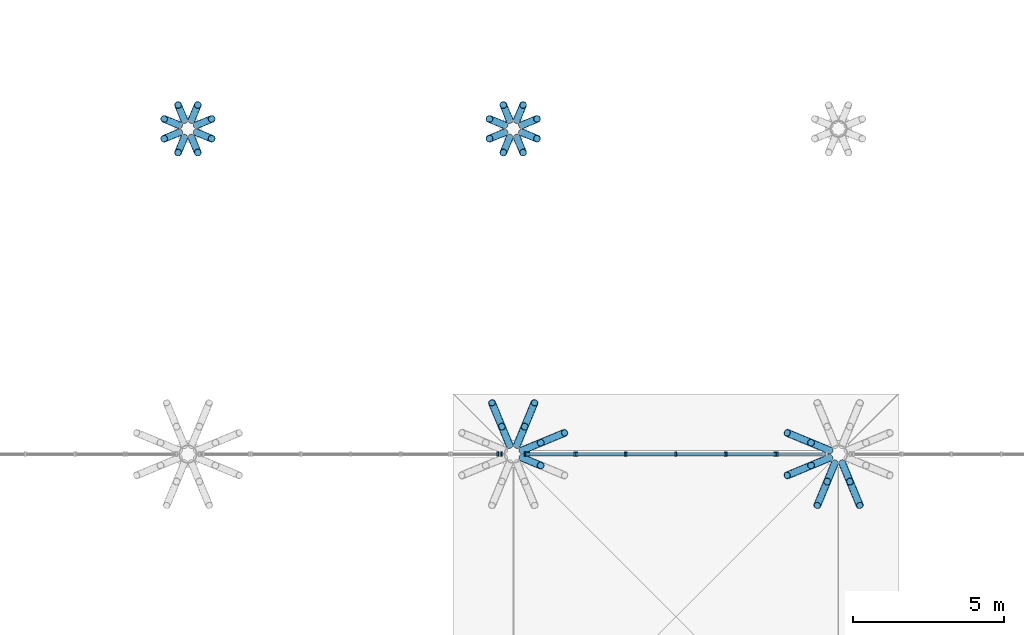
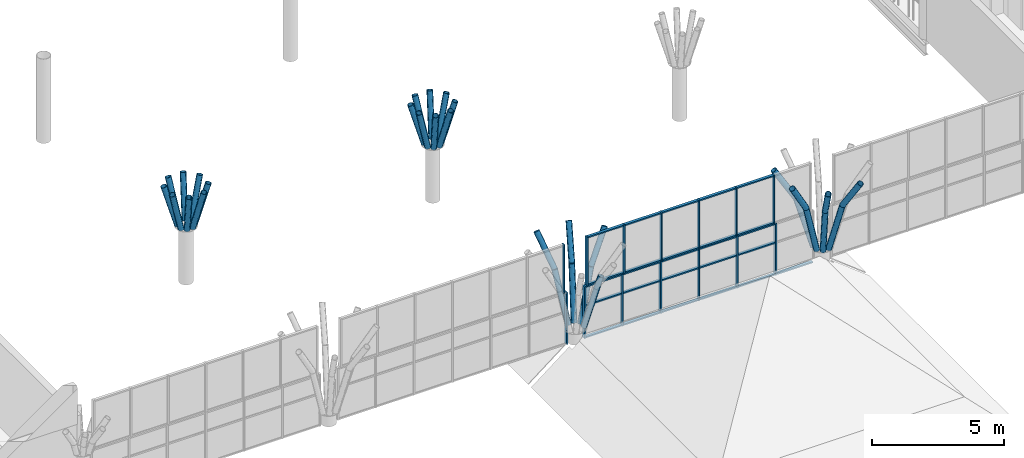
# One storey, part 18 of 95: 71 members, 4 elements without a shape of their own.
"""IFC4 building model written with IfcOpenShell, lengths in metres."""

from ifc_helpers import new_model, si_unit, direction, frame, origin, origin_2d, place, context, subcontext, project, spatial, rectangle, hollow_circle, extrude, material, layer, layer_set, material_profile, profile_set, type_object, element, aggregate, save


model = new_model("IFC4")

# Units and contexts
model_context = context("Model", 3, precision=1e-05, world=origin(), true_north=direction((0.0, 1.0)))
body_context = subcontext(model_context, "Body", "Model", "MODEL_VIEW")
ifc_project = project(units=[si_unit("LENGTHUNIT", "METRE"), si_unit("AREAUNIT", "SQUARE_METRE"), si_unit("VOLUMEUNIT", "CUBIC_METRE"), si_unit("PLANEANGLEUNIT", "RADIAN"), si_unit("MASSUNIT", "GRAM", prefix="KILO")], contexts=[model_context])

# Site, building, storey
site_placement = place(None, origin())
site = spatial("IfcSite", under=ifc_project, at=site_placement, CompositionType="ELEMENT")
building_placement = place(site_placement, origin())
building = spatial("IfcBuilding", under=site, at=building_placement, Name="Magnolia Steps Interchange", CompositionType="ELEMENT")
storey_placement = place(building_placement, frame((0.0, 0.0, 4.800048828125)))
storey = spatial("IfcBuildingStorey", under=building, at=storey_placement, Name="L01", CompositionType="ELEMENT", Elevation=4.800048828125)

# Curtain wall, member
ifc_material_1 = material(Name="Powder-coated aluminium and glass", Category="aluminium")
ifc_layer_1 = layer(ifc_material_1, 0.14990234375)
ifc_layer_set_1 = layer_set([ifc_layer_1], Name="Glazed hall curtain wall")
curtain_wall_type_1 = type_object("IfcCurtainWallType", Name="Glazed hall curtain wall", PredefinedType="NOTDEFINED", material=ifc_layer_set_1)
curtain_wall_1_placement = place(storey_placement, origin())
curtain_wall_1 = element("IfcCurtainWall", 1, at=curtain_wall_1_placement, inside=storey, type_object=curtain_wall_type_1, Name="Hall glazing S3 L01", PredefinedType="NOTDEFINED")
ifc_material_2 = material(Name="White powder-coated aluminium", Category="aluminium")
ifc_material_profile_1 = material_profile(ifc_material_2, rectangle(XDim=0.06005859375, YDim=0.14990234375, at=origin_2d()), Name="Aluminium mullion 60 x 150")
ifc_profile_set_1 = profile_set([ifc_material_profile_1], Name="White powder-coated aluminium")
member_type_1 = type_object("IfcMemberType", Name="Aluminium mullion 60 x 150", PredefinedType="MULLION", material=ifc_profile_set_1)
member_1_placement = place(storey_placement, frame((85.2099609375, 42.39990234375, 0.0), z_axis=(0.0, 0.0, 1.0), x_axis=(1.0, 0.0, 0.0)))
member_1 = element("IfcMember", 2, at=member_1_placement, type_object=member_type_1, Name="CW1 mullion 7", PredefinedType="MULLION", context=body_context, shape_type="SweptSolid", body=[
    extrude(rectangle(XDim=0.06005859375, YDim=0.14990234375, at=origin_2d()), origin(), (0.0, 0.0, 1.0), 2.39990234375),
])
aggregate(curtain_wall_1, [member_1])

ifc_material_3 = material(Name="Powder-coated aluminium and glass", Category="aluminium")
ifc_layer_2 = layer(ifc_material_3, 0.1201171875)
ifc_layer_set_2 = layer_set([ifc_layer_2], Name="Hall clerestory curtain wall")
curtain_wall_type_2 = type_object("IfcCurtainWallType", Name="Hall clerestory curtain wall", PredefinedType="NOTDEFINED", material=ifc_layer_set_2)
curtain_wall_2_placement = place(storey_placement, origin())
curtain_wall_2 = element("IfcCurtainWall", 3, at=curtain_wall_2_placement, inside=storey, type_object=curtain_wall_type_2, Name="Hall clerestory S3", PredefinedType="NOTDEFINED")
member_2_placement = place(storey_placement, frame((85.090087890625, 42.39990234375, 2.39990234375), z_axis=(0.0, 0.0, 1.0), x_axis=(1.0, 0.0, 0.0)))
member_2 = element("IfcMember", 4, at=member_2_placement, type_object=member_type_1, Name="CW6 mullion 7", PredefinedType="MULLION", context=body_context, shape_type="SweptSolid", body=[
    extrude(rectangle(XDim=0.06005859375, YDim=0.14990234375, at=origin_2d()), origin(), (0.0, 0.0, 1.0), 2.248779296875),
])
aggregate(curtain_wall_2, [member_2])

# Curtain wall, members
curtain_wall_3_placement = place(storey_placement, origin())
curtain_wall_3 = element("IfcCurtainWall", 5, at=curtain_wall_3_placement, inside=storey, type_object=curtain_wall_type_1, Name="Hall glazing S4 L01", PredefinedType="NOTDEFINED")
member_3_placement = place(storey_placement, frame((85.989990234375, 42.39990234375, 0.0), z_axis=(0.0, 0.0, 1.0), x_axis=(1.0, 0.0, 0.0)))
member_3 = element("IfcMember", 6, at=member_3_placement, type_object=member_type_1, Name="CW1 mullion 1", PredefinedType="MULLION", context=body_context, shape_type="SweptSolid", body=[
    extrude(rectangle(XDim=0.06005859375, YDim=0.14990234375, at=origin_2d()), origin(), (0.0, 0.0, 1.0), 2.39990234375),
])
member_4_placement = place(storey_placement, frame((87.639892578125, 42.39990234375, 0.0), z_axis=(0.0, 0.0, 1.0), x_axis=(1.0, 0.0, 0.0)))
member_4 = element("IfcMember", 7, at=member_4_placement, type_object=member_type_1, Name="CW1 mullion 2", PredefinedType="MULLION", context=body_context, shape_type="SweptSolid", body=[
    extrude(rectangle(XDim=0.06005859375, YDim=0.14990234375, at=origin_2d()), origin(), (0.0, 0.0, 1.0), 2.39990234375),
])
member_5_placement = place(storey_placement, frame((89.320068359375, 42.39990234375, 0.0), z_axis=(0.0, 0.0, 1.0), x_axis=(1.0, 0.0, 0.0)))
member_5 = element("IfcMember", 8, at=member_5_placement, type_object=member_type_1, Name="CW1 mullion 3", PredefinedType="MULLION", context=body_context, shape_type="SweptSolid", body=[
    extrude(rectangle(XDim=0.06005859375, YDim=0.14990234375, at=origin_2d()), origin(), (0.0, 0.0, 1.0), 2.39990234375),
])
member_6_placement = place(storey_placement, frame((91.0, 42.39990234375, 0.0), z_axis=(0.0, 0.0, 1.0), x_axis=(1.0, 0.0, 0.0)))
member_6 = element("IfcMember", 9, at=member_6_placement, type_object=member_type_1, Name="CW1 mullion 4", PredefinedType="MULLION", context=body_context, shape_type="SweptSolid", body=[
    extrude(rectangle(XDim=0.06005859375, YDim=0.14990234375, at=origin_2d()), origin(), (0.0, 0.0, 1.0), 2.39990234375),
])
member_7_placement = place(storey_placement, frame((92.679931640625, 42.39990234375, 0.0), z_axis=(0.0, 0.0, 1.0), x_axis=(1.0, 0.0, 0.0)))
member_7 = element("IfcMember", 10, at=member_7_placement, type_object=member_type_1, Name="CW1 mullion 5", PredefinedType="MULLION", context=body_context, shape_type="SweptSolid", body=[
    extrude(rectangle(XDim=0.06005859375, YDim=0.14990234375, at=origin_2d()), origin(), (0.0, 0.0, 1.0), 2.39990234375),
])
member_8_placement = place(storey_placement, frame((94.360107421875, 42.39990234375, 0.0), z_axis=(0.0, 0.0, 1.0), x_axis=(1.0, 0.0, 0.0)))
member_8 = element("IfcMember", 11, at=member_8_placement, type_object=member_type_1, Name="CW1 mullion 6", PredefinedType="MULLION", context=body_context, shape_type="SweptSolid", body=[
    extrude(rectangle(XDim=0.06005859375, YDim=0.14990234375, at=origin_2d()), origin(), (0.0, 0.0, 1.0), 2.39990234375),
])

curtain_wall_4_placement = place(storey_placement, origin())
curtain_wall_4 = element("IfcCurtainWall", 12, at=curtain_wall_4_placement, inside=storey, type_object=curtain_wall_type_2, Name="Hall clerestory S4", PredefinedType="NOTDEFINED")
member_9_placement = place(storey_placement, frame((86.110107421875, 42.39990234375, 2.39990234375), z_axis=(0.0, 0.0, 1.0), x_axis=(1.0, 0.0, 0.0)))
member_9 = element("IfcMember", 13, at=member_9_placement, type_object=member_type_1, Name="CW6 mullion 1", PredefinedType="MULLION", context=body_context, shape_type="SweptSolid", body=[
    extrude(rectangle(XDim=0.06005859375, YDim=0.14990234375, at=origin_2d()), origin(), (0.0, 0.0, 1.0), 2.248779296875),
])
member_10_placement = place(storey_placement, frame((87.719970703125, 42.39990234375, 2.39990234375), z_axis=(0.0, 0.0, 1.0), x_axis=(1.0, 0.0, 0.0)))
member_10 = element("IfcMember", 14, at=member_10_placement, type_object=member_type_1, Name="CW6 mullion 2", PredefinedType="MULLION", context=body_context, shape_type="SweptSolid", body=[
    extrude(rectangle(XDim=0.06005859375, YDim=0.14990234375, at=origin_2d()), origin(), (0.0, 0.0, 1.0), 2.248779296875),
])
member_11_placement = place(storey_placement, frame((89.360107421875, 42.39990234375, 2.39990234375), z_axis=(0.0, 0.0, 1.0), x_axis=(1.0, 0.0, 0.0)))
member_11 = element("IfcMember", 15, at=member_11_placement, type_object=member_type_1, Name="CW6 mullion 3", PredefinedType="MULLION", context=body_context, shape_type="SweptSolid", body=[
    extrude(rectangle(XDim=0.06005859375, YDim=0.14990234375, at=origin_2d()), origin(), (0.0, 0.0, 1.0), 2.248779296875),
])
member_12_placement = place(storey_placement, frame((91.0, 42.39990234375, 2.39990234375), z_axis=(0.0, 0.0, 1.0), x_axis=(1.0, 0.0, 0.0)))
member_12 = element("IfcMember", 16, at=member_12_placement, type_object=member_type_1, Name="CW6 mullion 4", PredefinedType="MULLION", context=body_context, shape_type="SweptSolid", body=[
    extrude(rectangle(XDim=0.06005859375, YDim=0.14990234375, at=origin_2d()), origin(), (0.0, 0.0, 1.0), 2.248779296875),
])
member_13_placement = place(storey_placement, frame((92.639892578125, 42.39990234375, 2.39990234375), z_axis=(0.0, 0.0, 1.0), x_axis=(1.0, 0.0, 0.0)))
member_13 = element("IfcMember", 17, at=member_13_placement, type_object=member_type_1, Name="CW6 mullion 5", PredefinedType="MULLION", context=body_context, shape_type="SweptSolid", body=[
    extrude(rectangle(XDim=0.06005859375, YDim=0.14990234375, at=origin_2d()), origin(), (0.0, 0.0, 1.0), 2.248779296875),
])
member_14_placement = place(storey_placement, frame((94.280029296875, 42.39990234375, 2.39990234375), z_axis=(0.0, 0.0, 1.0), x_axis=(1.0, 0.0, 0.0)))
member_14 = element("IfcMember", 18, at=member_14_placement, type_object=member_type_1, Name="CW6 mullion 6", PredefinedType="MULLION", context=body_context, shape_type="SweptSolid", body=[
    extrude(rectangle(XDim=0.06005859375, YDim=0.14990234375, at=origin_2d()), origin(), (0.0, 0.0, 1.0), 2.248779296875),
])

# Member
ifc_material_4 = material(Name="White powder-coated aluminium", Category="aluminium")
ifc_material_profile_2 = material_profile(ifc_material_4, rectangle(XDim=0.06005859375, YDim=0.1201171875, at=origin_2d()), Name="Aluminium transom 60 x 120")
ifc_profile_set_2 = profile_set([ifc_material_profile_2], Name="White powder-coated aluminium")
member_type_2 = type_object("IfcMemberType", Name="Aluminium transom 60 x 120", PredefinedType="USERDEFINED", material=ifc_profile_set_2)
member_15_placement = place(storey_placement, frame((86.02001953125, 42.39990234375, 0.030029296875), z_axis=(1.0, 0.0, 0.0), x_axis=(0.0, 0.0, 1.0)))
member_15 = element("IfcMember", 19, at=member_15_placement, type_object=member_type_2, Name="CW1 transom 1.1", ObjectType="TRANSOM", PredefinedType="USERDEFINED", context=body_context, shape_type="SweptSolid", body=[
    extrude(rectangle(XDim=0.06005859375, YDim=0.1201171875, at=origin_2d()), origin(), (0.0, 0.0, 1.0), 1.590087890625),
])

member_16_placement = place(storey_placement, frame((86.02001953125, 42.39990234375, 1.5), z_axis=(1.0, 0.0, 0.0), x_axis=(0.0, 0.0, 1.0)))
member_16 = element("IfcMember", 20, at=member_16_placement, type_object=member_type_2, Name="CW1 transom 1.2", ObjectType="TRANSOM", PredefinedType="USERDEFINED", context=body_context, shape_type="SweptSolid", body=[
    extrude(rectangle(XDim=0.06005859375, YDim=0.1201171875, at=origin_2d()), origin(), (0.0, 0.0, 1.0), 1.590087890625),
])

member_17_placement = place(storey_placement, frame((86.02001953125, 42.39990234375, 2.369873046875), z_axis=(1.0, 0.0, 0.0), x_axis=(0.0, 0.0, 1.0)))
member_17 = element("IfcMember", 21, at=member_17_placement, type_object=member_type_2, Name="CW1 transom 1.3", ObjectType="TRANSOM", PredefinedType="USERDEFINED", context=body_context, shape_type="SweptSolid", body=[
    extrude(rectangle(XDim=0.06005859375, YDim=0.1201171875, at=origin_2d()), origin(), (0.0, 0.0, 1.0), 1.590087890625),
])

member_18_placement = place(storey_placement, frame((87.669921875, 42.39990234375, 0.030029296875), z_axis=(1.0, 0.0, 0.0), x_axis=(0.0, 0.0, 1.0)))
member_18 = element("IfcMember", 22, at=member_18_placement, type_object=member_type_2, Name="CW1 transom 2.1", ObjectType="TRANSOM", PredefinedType="USERDEFINED", context=body_context, shape_type="SweptSolid", body=[
    extrude(rectangle(XDim=0.06005859375, YDim=0.1201171875, at=origin_2d()), origin(), (0.0, 0.0, 1.0), 1.6201171875),
])

member_19_placement = place(storey_placement, frame((87.669921875, 42.39990234375, 1.5), z_axis=(1.0, 0.0, 0.0), x_axis=(0.0, 0.0, 1.0)))
member_19 = element("IfcMember", 23, at=member_19_placement, type_object=member_type_2, Name="CW1 transom 2.2", ObjectType="TRANSOM", PredefinedType="USERDEFINED", context=body_context, shape_type="SweptSolid", body=[
    extrude(rectangle(XDim=0.06005859375, YDim=0.1201171875, at=origin_2d()), origin(), (0.0, 0.0, 1.0), 1.6201171875),
])

member_20_placement = place(storey_placement, frame((87.669921875, 42.39990234375, 2.369873046875), z_axis=(1.0, 0.0, 0.0), x_axis=(0.0, 0.0, 1.0)))
member_20 = element("IfcMember", 24, at=member_20_placement, type_object=member_type_2, Name="CW1 transom 2.3", ObjectType="TRANSOM", PredefinedType="USERDEFINED", context=body_context, shape_type="SweptSolid", body=[
    extrude(rectangle(XDim=0.06005859375, YDim=0.1201171875, at=origin_2d()), origin(), (0.0, 0.0, 1.0), 1.6201171875),
])

member_21_placement = place(storey_placement, frame((89.35009765625, 42.39990234375, 0.030029296875), z_axis=(1.0, 0.0, 0.0), x_axis=(0.0, 0.0, 1.0)))
member_21 = element("IfcMember", 25, at=member_21_placement, type_object=member_type_2, Name="CW1 transom 3.1", ObjectType="TRANSOM", PredefinedType="USERDEFINED", context=body_context, shape_type="SweptSolid", body=[
    extrude(rectangle(XDim=0.06005859375, YDim=0.1201171875, at=origin_2d()), origin(), (0.0, 0.0, 1.0), 1.619873046875),
])

member_22_placement = place(storey_placement, frame((89.35009765625, 42.39990234375, 1.5), z_axis=(1.0, 0.0, 0.0), x_axis=(0.0, 0.0, 1.0)))
member_22 = element("IfcMember", 26, at=member_22_placement, type_object=member_type_2, Name="CW1 transom 3.2", ObjectType="TRANSOM", PredefinedType="USERDEFINED", context=body_context, shape_type="SweptSolid", body=[
    extrude(rectangle(XDim=0.06005859375, YDim=0.1201171875, at=origin_2d()), origin(), (0.0, 0.0, 1.0), 1.619873046875),
])

member_23_placement = place(storey_placement, frame((89.35009765625, 42.39990234375, 2.369873046875), z_axis=(1.0, 0.0, 0.0), x_axis=(0.0, 0.0, 1.0)))
member_23 = element("IfcMember", 27, at=member_23_placement, type_object=member_type_2, Name="CW1 transom 3.3", ObjectType="TRANSOM", PredefinedType="USERDEFINED", context=body_context, shape_type="SweptSolid", body=[
    extrude(rectangle(XDim=0.06005859375, YDim=0.1201171875, at=origin_2d()), origin(), (0.0, 0.0, 1.0), 1.619873046875),
])

member_24_placement = place(storey_placement, frame((91.030029296875, 42.39990234375, 0.030029296875), z_axis=(1.0, 0.0, 0.0), x_axis=(0.0, 0.0, 1.0)))
member_24 = element("IfcMember", 28, at=member_24_placement, type_object=member_type_2, Name="CW1 transom 4.1", ObjectType="TRANSOM", PredefinedType="USERDEFINED", context=body_context, shape_type="SweptSolid", body=[
    extrude(rectangle(XDim=0.06005859375, YDim=0.1201171875, at=origin_2d()), origin(), (0.0, 0.0, 1.0), 1.619873046875),
])

member_25_placement = place(storey_placement, frame((91.030029296875, 42.39990234375, 1.5), z_axis=(1.0, 0.0, 0.0), x_axis=(0.0, 0.0, 1.0)))
member_25 = element("IfcMember", 29, at=member_25_placement, type_object=member_type_2, Name="CW1 transom 4.2", ObjectType="TRANSOM", PredefinedType="USERDEFINED", context=body_context, shape_type="SweptSolid", body=[
    extrude(rectangle(XDim=0.06005859375, YDim=0.1201171875, at=origin_2d()), origin(), (0.0, 0.0, 1.0), 1.619873046875),
])

member_26_placement = place(storey_placement, frame((91.030029296875, 42.39990234375, 2.369873046875), z_axis=(1.0, 0.0, 0.0), x_axis=(0.0, 0.0, 1.0)))
member_26 = element("IfcMember", 30, at=member_26_placement, type_object=member_type_2, Name="CW1 transom 4.3", ObjectType="TRANSOM", PredefinedType="USERDEFINED", context=body_context, shape_type="SweptSolid", body=[
    extrude(rectangle(XDim=0.06005859375, YDim=0.1201171875, at=origin_2d()), origin(), (0.0, 0.0, 1.0), 1.619873046875),
])

member_27_placement = place(storey_placement, frame((92.7099609375, 42.39990234375, 0.030029296875), z_axis=(1.0, 0.0, 0.0), x_axis=(0.0, 0.0, 1.0)))
member_27 = element("IfcMember", 31, at=member_27_placement, type_object=member_type_2, Name="CW1 transom 5.1", ObjectType="TRANSOM", PredefinedType="USERDEFINED", context=body_context, shape_type="SweptSolid", body=[
    extrude(rectangle(XDim=0.06005859375, YDim=0.1201171875, at=origin_2d()), origin(), (0.0, 0.0, 1.0), 1.6201171875),
])

member_28_placement = place(storey_placement, frame((92.7099609375, 42.39990234375, 1.5), z_axis=(1.0, 0.0, 0.0), x_axis=(0.0, 0.0, 1.0)))
member_28 = element("IfcMember", 32, at=member_28_placement, type_object=member_type_2, Name="CW1 transom 5.2", ObjectType="TRANSOM", PredefinedType="USERDEFINED", context=body_context, shape_type="SweptSolid", body=[
    extrude(rectangle(XDim=0.06005859375, YDim=0.1201171875, at=origin_2d()), origin(), (0.0, 0.0, 1.0), 1.6201171875),
])

member_29_placement = place(storey_placement, frame((92.7099609375, 42.39990234375, 2.369873046875), z_axis=(1.0, 0.0, 0.0), x_axis=(0.0, 0.0, 1.0)))
member_29 = element("IfcMember", 33, at=member_29_placement, type_object=member_type_2, Name="CW1 transom 5.3", ObjectType="TRANSOM", PredefinedType="USERDEFINED", context=body_context, shape_type="SweptSolid", body=[
    extrude(rectangle(XDim=0.06005859375, YDim=0.1201171875, at=origin_2d()), origin(), (0.0, 0.0, 1.0), 1.6201171875),
])

member_30_placement = place(storey_placement, frame((94.389892578125, 42.39990234375, 0.030029296875), z_axis=(1.0, 0.0, 0.0), x_axis=(0.0, 0.0, 1.0)))
member_30 = element("IfcMember", 34, at=member_30_placement, type_object=member_type_2, Name="CW1 transom 6.1", ObjectType="TRANSOM", PredefinedType="USERDEFINED", context=body_context, shape_type="SweptSolid", body=[
    extrude(rectangle(XDim=0.06005859375, YDim=0.1201171875, at=origin_2d()), origin(), (0.0, 0.0, 1.0), 1.590087890625),
])

aggregate(curtain_wall_3, [member_3, member_4, member_5, member_6, member_7, member_8, member_15, member_16, member_17, member_18, member_19, member_20, member_21, member_22, member_23, member_24, member_25, member_26, member_27, member_28, member_29, member_30])

member_31_placement = place(storey_placement, frame((86.139892578125, 42.39990234375, 2.429931640625), z_axis=(1.0, 0.0, 0.0), x_axis=(0.0, 0.0, 1.0)))
member_31 = element("IfcMember", 35, at=member_31_placement, type_object=member_type_2, Name="CW6 transom 1.1", ObjectType="TRANSOM", PredefinedType="USERDEFINED", context=body_context, shape_type="SweptSolid", body=[
    extrude(rectangle(XDim=0.06005859375, YDim=0.1201171875, at=origin_2d()), origin(), (0.0, 0.0, 1.0), 1.550048828125),
])

member_32_placement = place(storey_placement, frame((86.139892578125, 42.39990234375, 4.61865234375), z_axis=(1.0, 0.0, 0.0), x_axis=(0.0, 0.0, 1.0)))
member_32 = element("IfcMember", 36, at=member_32_placement, type_object=member_type_2, Name="CW6 transom 1.2", ObjectType="TRANSOM", PredefinedType="USERDEFINED", context=body_context, shape_type="SweptSolid", body=[
    extrude(rectangle(XDim=0.06005859375, YDim=0.1201171875, at=origin_2d()), origin(), (0.0, 0.0, 1.0), 1.550048828125),
])

member_33_placement = place(storey_placement, frame((87.75, 42.39990234375, 2.429931640625), z_axis=(1.0, 0.0, 0.0), x_axis=(0.0, 0.0, 1.0)))
member_33 = element("IfcMember", 37, at=member_33_placement, type_object=member_type_2, Name="CW6 transom 2.1", ObjectType="TRANSOM", PredefinedType="USERDEFINED", context=body_context, shape_type="SweptSolid", body=[
    extrude(rectangle(XDim=0.06005859375, YDim=0.1201171875, at=origin_2d()), origin(), (0.0, 0.0, 1.0), 1.580078125),
])

member_34_placement = place(storey_placement, frame((87.75, 42.39990234375, 4.61865234375), z_axis=(1.0, 0.0, 0.0), x_axis=(0.0, 0.0, 1.0)))
member_34 = element("IfcMember", 38, at=member_34_placement, type_object=member_type_2, Name="CW6 transom 2.2", ObjectType="TRANSOM", PredefinedType="USERDEFINED", context=body_context, shape_type="SweptSolid", body=[
    extrude(rectangle(XDim=0.06005859375, YDim=0.1201171875, at=origin_2d()), origin(), (0.0, 0.0, 1.0), 1.580078125),
])

member_35_placement = place(storey_placement, frame((89.389892578125, 42.39990234375, 2.429931640625), z_axis=(1.0, 0.0, 0.0), x_axis=(0.0, 0.0, 1.0)))
member_35 = element("IfcMember", 39, at=member_35_placement, type_object=member_type_2, Name="CW6 transom 3.1", ObjectType="TRANSOM", PredefinedType="USERDEFINED", context=body_context, shape_type="SweptSolid", body=[
    extrude(rectangle(XDim=0.06005859375, YDim=0.1201171875, at=origin_2d()), origin(), (0.0, 0.0, 1.0), 1.580078125),
])

member_36_placement = place(storey_placement, frame((89.389892578125, 42.39990234375, 4.61865234375), z_axis=(1.0, 0.0, 0.0), x_axis=(0.0, 0.0, 1.0)))
member_36 = element("IfcMember", 40, at=member_36_placement, type_object=member_type_2, Name="CW6 transom 3.2", ObjectType="TRANSOM", PredefinedType="USERDEFINED", context=body_context, shape_type="SweptSolid", body=[
    extrude(rectangle(XDim=0.06005859375, YDim=0.1201171875, at=origin_2d()), origin(), (0.0, 0.0, 1.0), 1.580078125),
])

member_37_placement = place(storey_placement, frame((91.030029296875, 42.39990234375, 2.429931640625), z_axis=(1.0, 0.0, 0.0), x_axis=(0.0, 0.0, 1.0)))
member_37 = element("IfcMember", 41, at=member_37_placement, type_object=member_type_2, Name="CW6 transom 4.1", ObjectType="TRANSOM", PredefinedType="USERDEFINED", context=body_context, shape_type="SweptSolid", body=[
    extrude(rectangle(XDim=0.06005859375, YDim=0.1201171875, at=origin_2d()), origin(), (0.0, 0.0, 1.0), 1.580078125),
])

member_38_placement = place(storey_placement, frame((91.030029296875, 42.39990234375, 4.61865234375), z_axis=(1.0, 0.0, 0.0), x_axis=(0.0, 0.0, 1.0)))
member_38 = element("IfcMember", 42, at=member_38_placement, type_object=member_type_2, Name="CW6 transom 4.2", ObjectType="TRANSOM", PredefinedType="USERDEFINED", context=body_context, shape_type="SweptSolid", body=[
    extrude(rectangle(XDim=0.06005859375, YDim=0.1201171875, at=origin_2d()), origin(), (0.0, 0.0, 1.0), 1.580078125),
])

member_39_placement = place(storey_placement, frame((92.669921875, 42.39990234375, 2.429931640625), z_axis=(1.0, 0.0, 0.0), x_axis=(0.0, 0.0, 1.0)))
member_39 = element("IfcMember", 43, at=member_39_placement, type_object=member_type_2, Name="CW6 transom 5.1", ObjectType="TRANSOM", PredefinedType="USERDEFINED", context=body_context, shape_type="SweptSolid", body=[
    extrude(rectangle(XDim=0.06005859375, YDim=0.1201171875, at=origin_2d()), origin(), (0.0, 0.0, 1.0), 1.580078125),
])

member_40_placement = place(storey_placement, frame((92.669921875, 42.39990234375, 4.61865234375), z_axis=(1.0, 0.0, 0.0), x_axis=(0.0, 0.0, 1.0)))
member_40 = element("IfcMember", 44, at=member_40_placement, type_object=member_type_2, Name="CW6 transom 5.2", ObjectType="TRANSOM", PredefinedType="USERDEFINED", context=body_context, shape_type="SweptSolid", body=[
    extrude(rectangle(XDim=0.06005859375, YDim=0.1201171875, at=origin_2d()), origin(), (0.0, 0.0, 1.0), 1.580078125),
])

aggregate(curtain_wall_4, [member_9, member_10, member_11, member_12, member_13, member_14, member_31, member_32, member_33, member_34, member_35, member_36, member_37, member_38, member_39, member_40])

# Members
ifc_material_5 = material(Name="Steel Q355B", Category="steel")
ifc_material_profile_3 = material_profile(ifc_material_5, hollow_circle(Radius=0.12255859375, WallThickness=0.011962890625, at=origin_2d()), Name="CHS245x12")
ifc_profile_set_3 = profile_set([ifc_material_profile_3], Name="Steel Q355B")
member_type_3 = type_object("IfcMemberType", Name="Tree rib CHS245x12", PredefinedType="USERDEFINED", material=ifc_profile_set_3)
for number, where, z_axis, x_axis, name in (
    (45, (75.09521484375, 53.322265625, 2.59423828125), (0.254645418779, 0.105452865921, 0.961267602577), (-0.382606875641, 0.923911239629, 0.0), "Tree rib TH03B"),
    (46, (74.92236328125, 53.4951171875, 2.59423828125), (0.105452865921, 0.254645418779, 0.961267602577), (-0.923911239629, 0.382606875641, 0.0), "Tree rib TH03B"),
    (47, (74.677734375, 53.4951171875, 2.59423828125), (-0.105452865921, 0.254645418779, 0.961267602577), (-0.923911239629, -0.382606875641, 0.0), "Tree rib TH03B"),
    (48, (74.5048828125, 53.322265625, 2.59423828125), (-0.254645418779, 0.105452865921, 0.961267602577), (-0.382606875641, -0.923911239629, 0.0), "Tree rib TH03B"),
    (49, (74.5048828125, 53.07763671875, 2.59423828125), (-0.254645418779, -0.105452865921, 0.961267602577), (0.382606875641, -0.923911239629, 0.0), "Tree rib TH03B"),
    (50, (74.677734375, 52.90478515625, 2.59423828125), (-0.105452865921, -0.254645418779, 0.961267602577), (0.923911239629, -0.382606875641, 0.0), "Tree rib TH03B"),
    (51, (74.92236328125, 52.90478515625, 2.59423828125), (0.105452865921, -0.254645418779, 0.961267602577), (0.923911239629, 0.382606875641, 0.0), "Tree rib TH03B"),
    (52, (75.09521484375, 53.07763671875, 2.59423828125), (0.254645418779, -0.105452865921, 0.961267602577), (0.382606875641, 0.923911239629, 0.0), "Tree rib TH03B"),
):
    element("IfcMember", number, at=place(storey_placement, frame(where, z_axis=z_axis, x_axis=x_axis)), inside=storey, type_object=member_type_3, Name=name, ObjectType="TREE RIB", PredefinedType="USERDEFINED", context=body_context, shape_type="SweptSolid", body=[
        extrude(hollow_circle(Radius=0.12255859375, WallThickness=0.011962890625, at=origin_2d()), origin(), (0.0, 0.0, 1.0), 1.9423828125),
    ])
member_41_placement = place(storey_placement, frame((85.90478515625, 42.5263671875, 0.61865234375), z_axis=(0.254679018405, 0.105373827881, 0.961267368624), x_axis=(-0.382318975891, 0.924030411119, 0.0)))
element("IfcMember", 53, at=member_41_placement, inside=storey, type_object=member_type_3, Name="Tree rib TH04A", ObjectType="TREE RIB", PredefinedType="USERDEFINED", context=body_context, shape_type="SweptSolid", body=[
    extrude(hollow_circle(Radius=0.12255859375, WallThickness=0.011962890625, at=origin_2d()), origin(), (0.0, 0.0, 1.0), 2.384033203125),
])
member_42_placement = place(storey_placement, frame((86.511962890625, 42.777587890625, 2.910400390625), z_axis=(0.489571014481, 0.202820124805, 0.848047297475), x_axis=(-0.382736860682, 0.923857399968, 0.0)))
element("IfcMember", 54, at=member_42_placement, inside=storey, type_object=member_type_3, Name="Tree rib TH04A", ObjectType="TREE RIB", PredefinedType="USERDEFINED", context=body_context, shape_type="SweptSolid", body=[
    extrude(hollow_circle(Radius=0.12255859375, WallThickness=0.011962890625, at=origin_2d()), origin(), (0.0, 0.0, 1.0), 1.6201171875),
])
member_43_placement = place(storey_placement, frame((85.726318359375, 42.704833984375, 0.61865234375), z_axis=(0.105475093291, 0.254676268946, 0.961256990992), x_axis=(-0.923899118291, 0.382636144688, 0.0)))
element("IfcMember", 55, at=member_43_placement, inside=storey, type_object=member_type_3, Name="Tree rib TH04A", ObjectType="TREE RIB", PredefinedType="USERDEFINED", context=body_context, shape_type="SweptSolid", body=[
    extrude(hollow_circle(Radius=0.12255859375, WallThickness=0.011962890625, at=origin_2d()), origin(), (0.0, 0.0, 1.0), 2.384033203125),
])
member_44_placement = place(storey_placement, frame((85.977783203125, 43.31201171875, 2.910400390625), z_axis=(0.202820124805, 0.489571014481, 0.848047297475), x_axis=(-0.923857399968, 0.382736860682, 0.0)))
element("IfcMember", 56, at=member_44_placement, inside=storey, type_object=member_type_3, Name="Tree rib TH04A", ObjectType="TREE RIB", PredefinedType="USERDEFINED", context=body_context, shape_type="SweptSolid", body=[
    extrude(hollow_circle(Radius=0.12255859375, WallThickness=0.011962890625, at=origin_2d()), origin(), (0.0, 0.0, 1.0), 1.6201171875),
])
member_45_placement = place(storey_placement, frame((85.4736328125, 42.704833984375, 0.61865234375), z_axis=(-0.105373827881, 0.254679018405, 0.961267368624), x_axis=(-0.924030411119, -0.382318975891, 0.0)))
element("IfcMember", 57, at=member_45_placement, inside=storey, type_object=member_type_3, Name="Tree rib TH04A", ObjectType="TREE RIB", PredefinedType="USERDEFINED", context=body_context, shape_type="SweptSolid", body=[
    extrude(hollow_circle(Radius=0.12255859375, WallThickness=0.011962890625, at=origin_2d()), origin(), (0.0, 0.0, 1.0), 2.384033203125),
])
member_46_placement = place(storey_placement, frame((85.222412109375, 43.31201171875, 2.910400390625), z_axis=(-0.202820124805, 0.489571014481, 0.848047297475), x_axis=(-0.923857399968, -0.382736860682, 0.0)))
element("IfcMember", 58, at=member_46_placement, inside=storey, type_object=member_type_3, Name="Tree rib TH04A", ObjectType="TREE RIB", PredefinedType="USERDEFINED", context=body_context, shape_type="SweptSolid", body=[
    extrude(hollow_circle(Radius=0.12255859375, WallThickness=0.011962890625, at=origin_2d()), origin(), (0.0, 0.0, 1.0), 1.6201171875),
])
member_47_placement = place(storey_placement, frame((85.90478515625, 42.273681640625, 0.61865234375), z_axis=(0.254676268946, -0.105475093291, 0.961256990992), x_axis=(0.382636144688, 0.923899118291, 0.0)))
element("IfcMember", 59, at=member_47_placement, inside=storey, type_object=member_type_3, Name="Tree rib TH04A", ObjectType="TREE RIB", PredefinedType="USERDEFINED", context=body_context, shape_type="SweptSolid", body=[
    extrude(hollow_circle(Radius=0.12255859375, WallThickness=0.011962890625, at=origin_2d()), origin(), (0.0, 0.0, 1.0), 2.384033203125),
])
for number, where, z_axis, x_axis, name in (
    (60, (85.895263671875, 53.322265625, 2.59423828125), (0.254645418779, 0.105452865921, 0.961267602577), (-0.382606875641, 0.923911239629, 0.0), "Tree rib TH04B"),
    (61, (85.722412109375, 53.4951171875, 2.59423828125), (0.105328572393, 0.254648791966, 0.961280336108), (-0.924072388976, 0.382217503436, 0.0), "Tree rib TH04B"),
    (62, (85.477783203125, 53.4951171875, 2.59423828125), (-0.105452865921, 0.254645418779, 0.961267602577), (-0.923911239629, -0.382606875641, 0.0), "Tree rib TH04B"),
    (63, (85.3046875, 53.322265625, 2.59423828125), (-0.254527874579, 0.105456240381, 0.961298362855), (-0.382768141022, -0.923844440487, 0.0), "Tree rib TH04B"),
    (64, (85.3046875, 53.07763671875, 2.59423828125), (-0.254527874579, -0.105456240381, 0.961298362855), (0.382768141022, -0.923844440487, 0.0), "Tree rib TH04B"),
    (65, (85.477783203125, 52.90478515625, 2.59423828125), (-0.105452865921, -0.254645418779, 0.961267602577), (0.923911239629, -0.382606875641, 0.0), "Tree rib TH04B"),
    (66, (85.722412109375, 52.90478515625, 2.59423828125), (0.105328572393, -0.254648791966, 0.961280336108), (0.924072388976, 0.382217503436, 0.0), "Tree rib TH04B"),
    (67, (85.895263671875, 53.07763671875, 2.59423828125), (0.254645418779, -0.105452865921, 0.961267602577), (0.382606875641, 0.923911239629, 0.0), "Tree rib TH04B"),
):
    element("IfcMember", number, at=place(storey_placement, frame(where, z_axis=z_axis, x_axis=x_axis)), inside=storey, type_object=member_type_3, Name=name, ObjectType="TREE RIB", PredefinedType="USERDEFINED", context=body_context, shape_type="SweptSolid", body=[
        extrude(hollow_circle(Radius=0.12255859375, WallThickness=0.011962890625, at=origin_2d()), origin(), (0.0, 0.0, 1.0), 1.9423828125),
    ])
member_48_placement = place(storey_placement, frame((96.09521484375, 42.5263671875, 0.61865234375), z_axis=(-0.254679018405, 0.105373827881, 0.961267368624), x_axis=(-0.382318975891, -0.924030411119, 0.0)))
element("IfcMember", 68, at=member_48_placement, inside=storey, type_object=member_type_3, Name="Tree rib TH05A", ObjectType="TREE RIB", PredefinedType="USERDEFINED", context=body_context, shape_type="SweptSolid", body=[
    extrude(hollow_circle(Radius=0.12255859375, WallThickness=0.011962890625, at=origin_2d()), origin(), (0.0, 0.0, 1.0), 2.384033203125),
])
member_49_placement = place(storey_placement, frame((95.488037109375, 42.777587890625, 2.910400390625), z_axis=(-0.489571014481, 0.202820124805, 0.848047297475), x_axis=(-0.382736860682, -0.923857399968, 0.0)))
element("IfcMember", 69, at=member_49_placement, inside=storey, type_object=member_type_3, Name="Tree rib TH05A", ObjectType="TREE RIB", PredefinedType="USERDEFINED", context=body_context, shape_type="SweptSolid", body=[
    extrude(hollow_circle(Radius=0.12255859375, WallThickness=0.011962890625, at=origin_2d()), origin(), (0.0, 0.0, 1.0), 1.6201171875),
])
member_50_placement = place(storey_placement, frame((96.09521484375, 42.273681640625, 0.61865234375), z_axis=(-0.254676268946, -0.105475093291, 0.961256990992), x_axis=(0.382636144688, -0.923899118291, 0.0)))
element("IfcMember", 70, at=member_50_placement, inside=storey, type_object=member_type_3, Name="Tree rib TH05A", ObjectType="TREE RIB", PredefinedType="USERDEFINED", context=body_context, shape_type="SweptSolid", body=[
    extrude(hollow_circle(Radius=0.12255859375, WallThickness=0.011962890625, at=origin_2d()), origin(), (0.0, 0.0, 1.0), 2.384033203125),
])
member_51_placement = place(storey_placement, frame((95.488037109375, 42.022216796875, 2.910400390625), z_axis=(-0.489571014481, -0.202820124805, 0.848047297475), x_axis=(0.382736860682, -0.923857399968, 0.0)))
element("IfcMember", 71, at=member_51_placement, inside=storey, type_object=member_type_3, Name="Tree rib TH05A", ObjectType="TREE RIB", PredefinedType="USERDEFINED", context=body_context, shape_type="SweptSolid", body=[
    extrude(hollow_circle(Radius=0.12255859375, WallThickness=0.011962890625, at=origin_2d()), origin(), (0.0, 0.0, 1.0), 1.6201171875),
])
member_52_placement = place(storey_placement, frame((96.273681640625, 42.09521484375, 0.61865234375), z_axis=(-0.105475093291, -0.254676268946, 0.961256990992), x_axis=(0.923899118291, -0.382636144688, 0.0)))
element("IfcMember", 72, at=member_52_placement, inside=storey, type_object=member_type_3, Name="Tree rib TH05A", ObjectType="TREE RIB", PredefinedType="USERDEFINED", context=body_context, shape_type="SweptSolid", body=[
    extrude(hollow_circle(Radius=0.12255859375, WallThickness=0.011962890625, at=origin_2d()), origin(), (0.0, 0.0, 1.0), 2.384033203125),
])
member_53_placement = place(storey_placement, frame((96.022216796875, 41.488037109375, 2.910400390625), z_axis=(-0.202820124805, -0.489571014481, 0.848047297475), x_axis=(0.923857399968, -0.382736860682, 0.0)))
element("IfcMember", 73, at=member_53_placement, inside=storey, type_object=member_type_3, Name="Tree rib TH05A", ObjectType="TREE RIB", PredefinedType="USERDEFINED", context=body_context, shape_type="SweptSolid", body=[
    extrude(hollow_circle(Radius=0.12255859375, WallThickness=0.011962890625, at=origin_2d()), origin(), (0.0, 0.0, 1.0), 1.6201171875),
])
member_54_placement = place(storey_placement, frame((96.5263671875, 42.09521484375, 0.61865234375), z_axis=(0.105373827881, -0.254679018405, 0.961267368624), x_axis=(0.924030411119, 0.382318975891, 0.0)))
element("IfcMember", 74, at=member_54_placement, inside=storey, type_object=member_type_3, Name="Tree rib TH05A", ObjectType="TREE RIB", PredefinedType="USERDEFINED", context=body_context, shape_type="SweptSolid", body=[
    extrude(hollow_circle(Radius=0.12255859375, WallThickness=0.011962890625, at=origin_2d()), origin(), (0.0, 0.0, 1.0), 2.384033203125),
])
member_55_placement = place(storey_placement, frame((96.777587890625, 41.488037109375, 2.910400390625), z_axis=(0.202820124805, -0.489571014481, 0.848047297475), x_axis=(0.923857399968, 0.382736860682, 0.0)))
element("IfcMember", 75, at=member_55_placement, inside=storey, type_object=member_type_3, Name="Tree rib TH05A", ObjectType="TREE RIB", PredefinedType="USERDEFINED", context=body_context, shape_type="SweptSolid", body=[
    extrude(hollow_circle(Radius=0.12255859375, WallThickness=0.011962890625, at=origin_2d()), origin(), (0.0, 0.0, 1.0), 1.6201171875),
])

save(model, "model.ifc")
